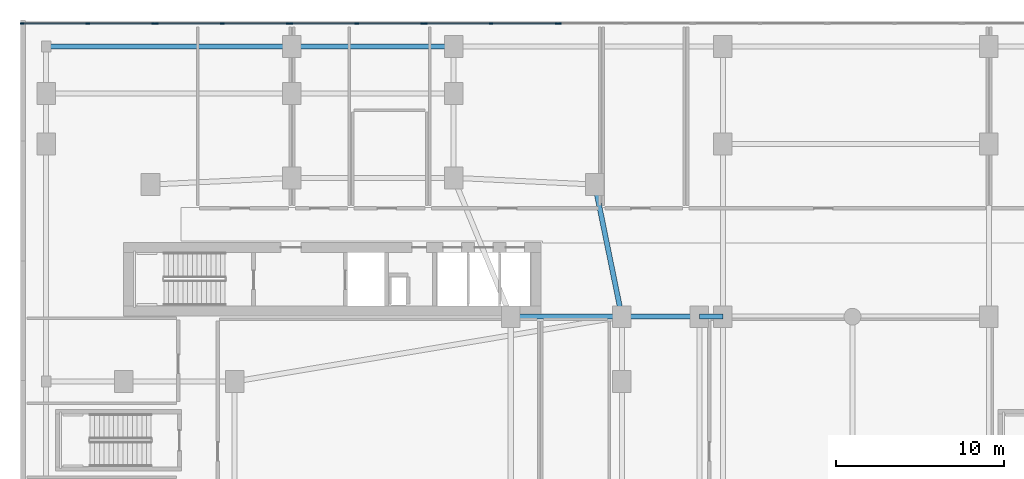
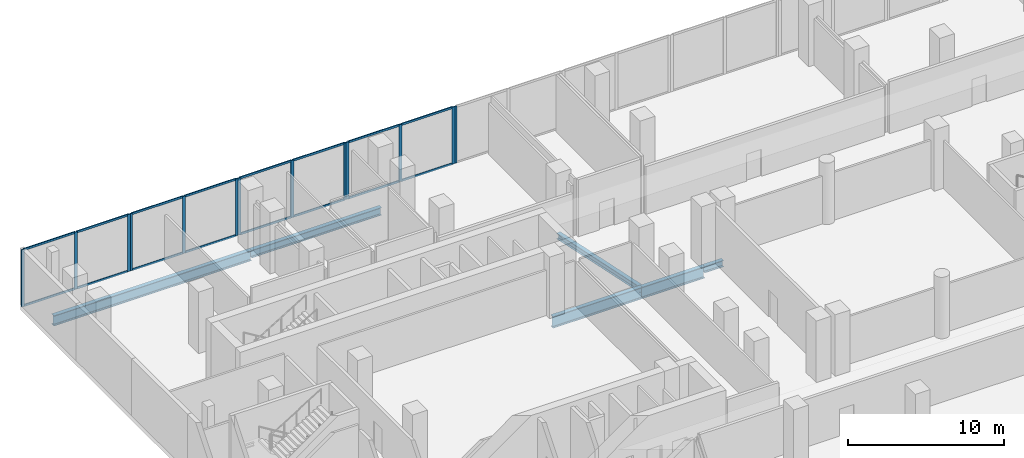
# One storey, part 6 of 23: 29 members, 6 beams, 5 elements without a shape of their own.
"""IFC4 building model written with IfcOpenShell, lengths in metres."""

from ifc_helpers import new_model, si_unit, derived_unit, direction, frame, origin, origin_2d, place, context, subcontext, project, spatial, rectangle, i_section, extrude, material, layer, layer_set, material_profile, profile_set, type_object, element, aggregate, save


model = new_model("IFC4")

# Units and contexts
model_context = context("Model", 3, precision=1e-05, world=origin(), true_north=direction((0.0, 1.0)))
body_context = subcontext(model_context, "Body", "Model", "MODEL_VIEW")
ifc_project = project(units=[si_unit("LENGTHUNIT", "METRE"), si_unit("AREAUNIT", "SQUARE_METRE"), si_unit("VOLUMEUNIT", "CUBIC_METRE"), si_unit("PLANEANGLEUNIT", "RADIAN"), si_unit("MASSUNIT", "GRAM", prefix="KILO"), derived_unit("THERMALTRANSMITTANCEUNIT", [(si_unit("POWERUNIT", "WATT"), 1), (si_unit("LENGTHUNIT", "METRE"), -2), (si_unit("THERMODYNAMICTEMPERATUREUNIT", "KELVIN"), -1)])], contexts=[model_context])

# Site, building, storey
site_placement = place(None, origin())
site = spatial("IfcSite", under=ifc_project, at=site_placement, CompositionType="ELEMENT")
building_placement = place(site_placement, origin())
building = spatial("IfcBuilding", under=site, at=building_placement, Name="Kivonza Crest Hotel", CompositionType="ELEMENT")
storey_placement = place(building_placement, frame((0.0, 0.0, 5.39990234375)))
storey = spatial("IfcBuildingStorey", under=building, at=storey_placement, Name="L01", CompositionType="ELEMENT", Elevation=5.39990234375)

# Beams
ifc_material_1 = material(Name="Steel S355", Category="steel")
ifc_material_profile_1 = material_profile(ifc_material_1, i_section(OverallWidth=0.300048828125, OverallDepth=0.449951171875, WebThickness=0.013916015625, FlangeThickness=0.02587890625, FilletRadius=0.027099609375, at=origin_2d()), Name="HEB 450")
ifc_profile_set_1 = profile_set([ifc_material_profile_1], Name="Steel S355")
beam_type_1 = type_object("IfcBeamType", Name="BM-HEB450", PredefinedType="SPANDREL", material=ifc_profile_set_1)
beam_1_placement = place(storey_placement, frame((35.800048828125, 32.35009765625, -0.574951171875), z_axis=(-0.199730733965, 0.979850822273, 0.0), x_axis=(-0.979850822273, -0.199730733965, 0.0)))
element("IfcBeam", 1, at=beam_1_placement, inside=storey, type_object=beam_type_1, Name="Tower T1 L01 perimeter spandrel PNE-NE", PredefinedType="SPANDREL", context=body_context, shape_type="SweptSolid", body=[
    extrude(i_section(OverallWidth=0.300048828125, OverallDepth=0.449951171875, WebThickness=0.013916015625, FlangeThickness=0.02587890625, FilletRadius=0.027099609375, at=origin_2d()), origin(), (0.0, 0.0, 1.0), 8.01123046875),
])
ifc_material_profile_2 = material_profile(ifc_material_1, i_section(OverallWidth=0.300048828125, OverallDepth=0.5, WebThickness=0.014404296875, FlangeThickness=0.028076171875, FilletRadius=0.027099609375, at=origin_2d()), Name="HEB 500")
ifc_profile_set_2 = profile_set([ifc_material_profile_2], Name="Steel S355")
beam_type_2 = type_object("IfcBeamType", Name="BM-HEB500", PredefinedType="BEAM", material=ifc_profile_set_2)
beam_2_placement = place(storey_placement, frame((40.39990234375, 32.35009765625, -0.599853515625), z_axis=(1.0, 0.0, 0.0), x_axis=(0.0, 1.0, 0.0)))
element("IfcBeam", 2, at=beam_2_placement, inside=storey, type_object=beam_type_2, Name="L01 podium girder X 32", PredefinedType="BEAM", context=body_context, shape_type="SweptSolid", body=[
    extrude(i_section(OverallWidth=0.300048828125, OverallDepth=0.5, WebThickness=0.014404296875, FlangeThickness=0.028076171875, FilletRadius=0.027099609375, at=origin_2d()), origin(), (0.0, 0.0, 1.0), 1.400146484375),
])
ifc_material_profile_3 = material_profile(ifc_material_1, i_section(OverallWidth=0.300048828125, OverallDepth=0.60009765625, WebThickness=0.015380859375, FlangeThickness=0.030029296875, FilletRadius=0.027099609375, at=origin_2d()), Name="HEB 600")
ifc_profile_set_3 = profile_set([ifc_material_profile_3], Name="Steel S355")
beam_type_3 = type_object("IfcBeamType", Name="BM-HEB600", PredefinedType="BEAM", material=ifc_profile_set_3)
beam_3_placement = place(storey_placement, frame((16.199951171875, 48.39990234375, -0.64990234375), z_axis=(1.0, 0.0, 0.0), x_axis=(0.0, 1.0, 0.0)))
element("IfcBeam", 3, at=beam_3_placement, inside=storey, type_object=beam_type_3, Name="L01 podium girder X 43", PredefinedType="BEAM", context=body_context, shape_type="SweptSolid", body=[
    extrude(i_section(OverallWidth=0.300048828125, OverallDepth=0.60009765625, WebThickness=0.015380859375, FlangeThickness=0.030029296875, FilletRadius=0.027099609375, at=origin_2d()), origin(), (0.0, 0.0, 1.0), 9.60009765625),
])
ifc_material_profile_4 = material_profile(ifc_material_1, i_section(OverallWidth=0.300048828125, OverallDepth=0.800048828125, WebThickness=0.017578125, FlangeThickness=0.032958984375, FilletRadius=0.030029296875, at=origin_2d()), Name="HEB 800")
ifc_profile_set_4 = profile_set([ifc_material_profile_4], Name="Steel S355")
beam_type_4 = type_object("IfcBeamType", Name="BM-HEB800", PredefinedType="BEAM", material=ifc_profile_set_4)
beam_4_placement = place(storey_placement, frame((1.60009765625, 48.39990234375, -0.75), z_axis=(1.0, 0.0, 0.0), x_axis=(0.0, 1.0, 0.0)))
element("IfcBeam", 4, at=beam_4_placement, inside=storey, type_object=beam_type_4, Name="L01 podium girder X 42", PredefinedType="BEAM", context=body_context, shape_type="SweptSolid", body=[
    extrude(i_section(OverallWidth=0.300048828125, OverallDepth=0.800048828125, WebThickness=0.017578125, FlangeThickness=0.032958984375, FilletRadius=0.030029296875, at=origin_2d()), origin(), (0.0, 0.0, 1.0), 14.599853515625),
])
ifc_material_profile_5 = material_profile(ifc_material_1, i_section(OverallWidth=0.300048828125, OverallDepth=0.89990234375, WebThickness=0.0185546875, FlangeThickness=0.034912109375, FilletRadius=0.030029296875, at=origin_2d()), Name="HEB 900")
ifc_profile_set_5 = profile_set([ifc_material_profile_5], Name="Steel S355")
beam_type_5 = type_object("IfcBeamType", Name="BM-HEB900", PredefinedType="BEAM", material=ifc_profile_set_5)
beam_5_placement = place(storey_placement, frame((29.199951171875, 32.35009765625, -0.7998046875), z_axis=(1.0, 0.0, 0.0), x_axis=(0.0, 1.0, 0.0)))
element("IfcBeam", 5, at=beam_5_placement, inside=storey, type_object=beam_type_5, Name="Tower T1 L01 primary girder TNE-PNE", PredefinedType="BEAM", context=body_context, shape_type="SweptSolid", body=[
    extrude(i_section(OverallWidth=0.300048828125, OverallDepth=0.89990234375, WebThickness=0.0185546875, FlangeThickness=0.034912109375, FilletRadius=0.030029296875, at=origin_2d()), origin(), (0.0, 0.0, 1.0), 6.60009765625),
])
beam_6_placement = place(storey_placement, frame((40.39990234375, 32.35009765625, -0.7998046875), z_axis=(-1.0, 0.0, 0.0), x_axis=(0.0, -1.0, 0.0)))
element("IfcBeam", 6, at=beam_6_placement, inside=storey, type_object=beam_type_5, Name="Tower T1 L01 outer bay girder ZE2", PredefinedType="BEAM", context=body_context, shape_type="SweptSolid", body=[
    extrude(i_section(OverallWidth=0.300048828125, OverallDepth=0.89990234375, WebThickness=0.0185546875, FlangeThickness=0.034912109375, FilletRadius=0.030029296875, at=origin_2d()), origin(), (0.0, 0.0, 1.0), 4.599853515625),
])

# Curtain wall, member
ifc_material_2 = material(Name="Anodised bronze aluminium and low-E double glazing", Category="aluminium")
ifc_layer = layer(ifc_material_2, 0.219970703125)
ifc_layer_set = layer_set([ifc_layer], Name="Anodised bronze aluminium and low-E double glazing")
curtain_wall_type = type_object("IfcCurtainWallType", Name="CW-SYS-1", PredefinedType="NOTDEFINED", material=ifc_layer_set)
curtain_wall_1_placement = place(storey_placement, origin())
curtain_wall_1 = element("IfcCurtainWall", 7, at=curtain_wall_1_placement, inside=storey, type_object=curtain_wall_type, Name="L01 unitised curtain wall CW-POD-L01-27", PredefinedType="NOTDEFINED")
ifc_material_3 = material(Name="Anodised bronze aluminium", Category="aluminium")
ifc_material_profile_6 = material_profile(ifc_material_3, rectangle(XDim=0.074951171875, YDim=0.219970703125, at=origin_2d()), Name="CW-M 75x220")
ifc_profile_set_6 = profile_set([ifc_material_profile_6], Name="Anodised bronze aluminium")
member_type_1 = type_object("IfcMemberType", Name="CW-MUL-75x220", PredefinedType="MULLION", material=ifc_profile_set_6)
member_1_placement = place(storey_placement, frame((32.1044921875, 49.760009765625, 0.0), z_axis=(0.0, 0.0, 1.0), x_axis=(0.0, -1.0, 0.0)))
member_1 = element("IfcMember", 8, at=member_1_placement, type_object=member_type_1, Name="CW-1 mullion 3", PredefinedType="MULLION", context=body_context, shape_type="SweptSolid", body=[
    extrude(rectangle(XDim=0.074951171875, YDim=0.219970703125, at=origin_2d()), origin(), (0.0, 0.0, 1.0), 4.4501953125),
])
aggregate(curtain_wall_1, [member_1])

# Curtain wall, members
curtain_wall_2_placement = place(storey_placement, origin())
curtain_wall_2 = element("IfcCurtainWall", 9, at=curtain_wall_2_placement, inside=storey, type_object=curtain_wall_type, Name="L01 unitised curtain wall CW-POD-L01-28", PredefinedType="NOTDEFINED")
member_2_placement = place(storey_placement, frame((31.949462890625, 49.760009765625, 0.0), z_axis=(0.0, 0.0, 1.0), x_axis=(0.0, -1.0, 0.0)))
member_2 = element("IfcMember", 10, at=member_2_placement, type_object=member_type_1, Name="CW-1 mullion 1", PredefinedType="MULLION", context=body_context, shape_type="SweptSolid", body=[
    extrude(rectangle(XDim=0.074951171875, YDim=0.219970703125, at=origin_2d()), origin(), (0.0, 0.0, 1.0), 4.4501953125),
])
member_3_placement = place(storey_placement, frame((28.033447265625, 49.760009765625, 0.0), z_axis=(0.0, 0.0, 1.0), x_axis=(0.0, -1.0, 0.0)))
member_3 = element("IfcMember", 11, at=member_3_placement, type_object=member_type_1, Name="CW-1 mullion 2", PredefinedType="MULLION", context=body_context, shape_type="SweptSolid", body=[
    extrude(rectangle(XDim=0.074951171875, YDim=0.219970703125, at=origin_2d()), origin(), (0.0, 0.0, 1.0), 4.4501953125),
])
member_4_placement = place(storey_placement, frame((24.117431640625, 49.760009765625, 0.0), z_axis=(0.0, 0.0, 1.0), x_axis=(0.0, -1.0, 0.0)))
member_4 = element("IfcMember", 12, at=member_4_placement, type_object=member_type_1, Name="CW-1 mullion 3", PredefinedType="MULLION", context=body_context, shape_type="SweptSolid", body=[
    extrude(rectangle(XDim=0.074951171875, YDim=0.219970703125, at=origin_2d()), origin(), (0.0, 0.0, 1.0), 4.4501953125),
])

curtain_wall_3_placement = place(storey_placement, origin())
curtain_wall_3 = element("IfcCurtainWall", 13, at=curtain_wall_3_placement, inside=storey, type_object=curtain_wall_type, Name="L01 unitised curtain wall CW-POD-L01-29", PredefinedType="NOTDEFINED")
member_5_placement = place(storey_placement, frame((23.96240234375, 49.760009765625, 0.0), z_axis=(0.0, 0.0, 1.0), x_axis=(0.0, -1.0, 0.0)))
member_5 = element("IfcMember", 14, at=member_5_placement, type_object=member_type_1, Name="CW-1 mullion 1", PredefinedType="MULLION", context=body_context, shape_type="SweptSolid", body=[
    extrude(rectangle(XDim=0.074951171875, YDim=0.219970703125, at=origin_2d()), origin(), (0.0, 0.0, 1.0), 4.4501953125),
])
member_6_placement = place(storey_placement, frame((20.04638671875, 49.760009765625, 0.0), z_axis=(0.0, 0.0, 1.0), x_axis=(0.0, -1.0, 0.0)))
member_6 = element("IfcMember", 15, at=member_6_placement, type_object=member_type_1, Name="CW-1 mullion 2", PredefinedType="MULLION", context=body_context, shape_type="SweptSolid", body=[
    extrude(rectangle(XDim=0.074951171875, YDim=0.219970703125, at=origin_2d()), origin(), (0.0, 0.0, 1.0), 4.4501953125),
])
member_7_placement = place(storey_placement, frame((16.130615234375, 49.760009765625, 0.0), z_axis=(0.0, 0.0, 1.0), x_axis=(0.0, -1.0, 0.0)))
member_7 = element("IfcMember", 16, at=member_7_placement, type_object=member_type_1, Name="CW-1 mullion 3", PredefinedType="MULLION", context=body_context, shape_type="SweptSolid", body=[
    extrude(rectangle(XDim=0.074951171875, YDim=0.219970703125, at=origin_2d()), origin(), (0.0, 0.0, 1.0), 4.4501953125),
])

curtain_wall_4_placement = place(storey_placement, origin())
curtain_wall_4 = element("IfcCurtainWall", 17, at=curtain_wall_4_placement, inside=storey, type_object=curtain_wall_type, Name="L01 unitised curtain wall CW-POD-L01-30", PredefinedType="NOTDEFINED")
member_8_placement = place(storey_placement, frame((15.9755859375, 49.760009765625, 0.0), z_axis=(0.0, 0.0, 1.0), x_axis=(0.0, -1.0, 0.0)))
member_8 = element("IfcMember", 18, at=member_8_placement, type_object=member_type_1, Name="CW-1 mullion 1", PredefinedType="MULLION", context=body_context, shape_type="SweptSolid", body=[
    extrude(rectangle(XDim=0.074951171875, YDim=0.219970703125, at=origin_2d()), origin(), (0.0, 0.0, 1.0), 4.4501953125),
])
member_9_placement = place(storey_placement, frame((12.06005859375, 49.760009765625, 0.0), z_axis=(0.0, 0.0, 1.0), x_axis=(0.0, -1.0, 0.0)))
member_9 = element("IfcMember", 19, at=member_9_placement, type_object=member_type_1, Name="CW-1 mullion 2", PredefinedType="MULLION", context=body_context, shape_type="SweptSolid", body=[
    extrude(rectangle(XDim=0.074951171875, YDim=0.219970703125, at=origin_2d()), origin(), (0.0, 0.0, 1.0), 4.4501953125),
])
member_10_placement = place(storey_placement, frame((8.14453125, 49.760009765625, 0.0), z_axis=(0.0, 0.0, 1.0), x_axis=(0.0, -1.0, 0.0)))
member_10 = element("IfcMember", 20, at=member_10_placement, type_object=member_type_1, Name="CW-1 mullion 3", PredefinedType="MULLION", context=body_context, shape_type="SweptSolid", body=[
    extrude(rectangle(XDim=0.074951171875, YDim=0.219970703125, at=origin_2d()), origin(), (0.0, 0.0, 1.0), 4.4501953125),
])

curtain_wall_5_placement = place(storey_placement, origin())
curtain_wall_5 = element("IfcCurtainWall", 21, at=curtain_wall_5_placement, inside=storey, type_object=curtain_wall_type, Name="L01 unitised curtain wall CW-POD-L01-31", PredefinedType="NOTDEFINED")
member_11_placement = place(storey_placement, frame((7.989501953125, 49.760009765625, 0.0), z_axis=(0.0, 0.0, 1.0), x_axis=(0.0, -1.0, 0.0)))
member_11 = element("IfcMember", 22, at=member_11_placement, type_object=member_type_1, Name="CW-1 mullion 1", PredefinedType="MULLION", context=body_context, shape_type="SweptSolid", body=[
    extrude(rectangle(XDim=0.074951171875, YDim=0.219970703125, at=origin_2d()), origin(), (0.0, 0.0, 1.0), 4.4501953125),
])
member_12_placement = place(storey_placement, frame((4.073486328125, 49.760009765625, 0.0), z_axis=(0.0, 0.0, 1.0), x_axis=(0.0, -1.0, 0.0)))
member_12 = element("IfcMember", 23, at=member_12_placement, type_object=member_type_1, Name="CW-1 mullion 2", PredefinedType="MULLION", context=body_context, shape_type="SweptSolid", body=[
    extrude(rectangle(XDim=0.074951171875, YDim=0.219970703125, at=origin_2d()), origin(), (0.0, 0.0, 1.0), 4.4501953125),
])
member_13_placement = place(storey_placement, frame((0.157470703125, 49.760009765625, 0.0), z_axis=(0.0, 0.0, 1.0), x_axis=(0.0, -1.0, 0.0)))
member_13 = element("IfcMember", 24, at=member_13_placement, type_object=member_type_1, Name="CW-1 mullion 3", PredefinedType="MULLION", context=body_context, shape_type="SweptSolid", body=[
    extrude(rectangle(XDim=0.074951171875, YDim=0.219970703125, at=origin_2d()), origin(), (0.0, 0.0, 1.0), 4.4501953125),
])

# Member
ifc_material_profile_7 = material_profile(ifc_material_3, rectangle(XDim=0.074951171875, YDim=0.159912109375, at=origin_2d()), Name="CW-T 75x160")
ifc_profile_set_7 = profile_set([ifc_material_profile_7], Name="Anodised bronze aluminium")
member_type_2 = type_object("IfcMemberType", Name="CW-TRN-75x160", PredefinedType="USERDEFINED", material=ifc_profile_set_7)
member_14_placement = place(storey_placement, frame((31.912109375, 49.760009765625, 0.03759765625), z_axis=(-1.0, 0.0, 0.0), x_axis=(0.0, -1.0, 0.0)))
member_14 = element("IfcMember", 25, at=member_14_placement, type_object=member_type_2, Name="CW-1 transom 1.1", ObjectType="TRANSOM", PredefinedType="USERDEFINED", context=body_context, shape_type="SweptSolid", body=[
    extrude(rectangle(XDim=0.074951171875, YDim=0.159912109375, at=origin_2d()), origin(), (0.0, 0.0, 1.0), 3.841064453125),
])

member_15_placement = place(storey_placement, frame((31.912109375, 49.760009765625, 4.41259765625), z_axis=(-1.0, 0.0, 0.0), x_axis=(0.0, -1.0, 0.0)))
member_15 = element("IfcMember", 26, at=member_15_placement, type_object=member_type_2, Name="CW-1 transom 1.2", ObjectType="TRANSOM", PredefinedType="USERDEFINED", context=body_context, shape_type="SweptSolid", body=[
    extrude(rectangle(XDim=0.074951171875, YDim=0.159912109375, at=origin_2d()), origin(), (0.0, 0.0, 1.0), 3.841064453125),
])

member_16_placement = place(storey_placement, frame((27.99609375, 49.760009765625, 0.03759765625), z_axis=(-1.0, 0.0, 0.0), x_axis=(0.0, -1.0, 0.0)))
member_16 = element("IfcMember", 27, at=member_16_placement, type_object=member_type_2, Name="CW-1 transom 2.1", ObjectType="TRANSOM", PredefinedType="USERDEFINED", context=body_context, shape_type="SweptSolid", body=[
    extrude(rectangle(XDim=0.074951171875, YDim=0.159912109375, at=origin_2d()), origin(), (0.0, 0.0, 1.0), 3.841064453125),
])

member_17_placement = place(storey_placement, frame((27.99609375, 49.760009765625, 4.41259765625), z_axis=(-1.0, 0.0, 0.0), x_axis=(0.0, -1.0, 0.0)))
member_17 = element("IfcMember", 28, at=member_17_placement, type_object=member_type_2, Name="CW-1 transom 2.2", ObjectType="TRANSOM", PredefinedType="USERDEFINED", context=body_context, shape_type="SweptSolid", body=[
    extrude(rectangle(XDim=0.074951171875, YDim=0.159912109375, at=origin_2d()), origin(), (0.0, 0.0, 1.0), 3.841064453125),
])

aggregate(curtain_wall_2, [member_2, member_3, member_4, member_14, member_15, member_16, member_17])

member_18_placement = place(storey_placement, frame((23.925048828125, 49.760009765625, 0.03759765625), z_axis=(-1.0, 0.0, 0.0), x_axis=(0.0, -1.0, 0.0)))
member_18 = element("IfcMember", 29, at=member_18_placement, type_object=member_type_2, Name="CW-1 transom 1.1", ObjectType="TRANSOM", PredefinedType="USERDEFINED", context=body_context, shape_type="SweptSolid", body=[
    extrude(rectangle(XDim=0.074951171875, YDim=0.159912109375, at=origin_2d()), origin(), (0.0, 0.0, 1.0), 3.841064453125),
])

member_19_placement = place(storey_placement, frame((23.925048828125, 49.760009765625, 4.41259765625), z_axis=(-1.0, 0.0, 0.0), x_axis=(0.0, -1.0, 0.0)))
member_19 = element("IfcMember", 30, at=member_19_placement, type_object=member_type_2, Name="CW-1 transom 1.2", ObjectType="TRANSOM", PredefinedType="USERDEFINED", context=body_context, shape_type="SweptSolid", body=[
    extrude(rectangle(XDim=0.074951171875, YDim=0.159912109375, at=origin_2d()), origin(), (0.0, 0.0, 1.0), 3.841064453125),
])

member_20_placement = place(storey_placement, frame((20.009033203125, 49.760009765625, 0.03759765625), z_axis=(-1.0, 0.0, 0.0), x_axis=(0.0, -1.0, 0.0)))
member_20 = element("IfcMember", 31, at=member_20_placement, type_object=member_type_2, Name="CW-1 transom 2.1", ObjectType="TRANSOM", PredefinedType="USERDEFINED", context=body_context, shape_type="SweptSolid", body=[
    extrude(rectangle(XDim=0.074951171875, YDim=0.159912109375, at=origin_2d()), origin(), (0.0, 0.0, 1.0), 3.841064453125),
])

member_21_placement = place(storey_placement, frame((20.009033203125, 49.760009765625, 4.41259765625), z_axis=(-1.0, 0.0, 0.0), x_axis=(0.0, -1.0, 0.0)))
member_21 = element("IfcMember", 32, at=member_21_placement, type_object=member_type_2, Name="CW-1 transom 2.2", ObjectType="TRANSOM", PredefinedType="USERDEFINED", context=body_context, shape_type="SweptSolid", body=[
    extrude(rectangle(XDim=0.074951171875, YDim=0.159912109375, at=origin_2d()), origin(), (0.0, 0.0, 1.0), 3.841064453125),
])

aggregate(curtain_wall_3, [member_5, member_6, member_7, member_18, member_19, member_20, member_21])

member_22_placement = place(storey_placement, frame((15.93798828125, 49.760009765625, 0.03759765625), z_axis=(-1.0, 0.0, 0.0), x_axis=(0.0, -1.0, 0.0)))
member_22 = element("IfcMember", 33, at=member_22_placement, type_object=member_type_2, Name="CW-1 transom 1.1", ObjectType="TRANSOM", PredefinedType="USERDEFINED", context=body_context, shape_type="SweptSolid", body=[
    extrude(rectangle(XDim=0.074951171875, YDim=0.159912109375, at=origin_2d()), origin(), (0.0, 0.0, 1.0), 3.840576171875),
])

member_23_placement = place(storey_placement, frame((15.93798828125, 49.760009765625, 4.41259765625), z_axis=(-1.0, 0.0, 0.0), x_axis=(0.0, -1.0, 0.0)))
member_23 = element("IfcMember", 34, at=member_23_placement, type_object=member_type_2, Name="CW-1 transom 1.2", ObjectType="TRANSOM", PredefinedType="USERDEFINED", context=body_context, shape_type="SweptSolid", body=[
    extrude(rectangle(XDim=0.074951171875, YDim=0.159912109375, at=origin_2d()), origin(), (0.0, 0.0, 1.0), 3.840576171875),
])

member_24_placement = place(storey_placement, frame((12.0224609375, 49.760009765625, 0.03759765625), z_axis=(-1.0, 0.0, 0.0), x_axis=(0.0, -1.0, 0.0)))
member_24 = element("IfcMember", 35, at=member_24_placement, type_object=member_type_2, Name="CW-1 transom 2.1", ObjectType="TRANSOM", PredefinedType="USERDEFINED", context=body_context, shape_type="SweptSolid", body=[
    extrude(rectangle(XDim=0.074951171875, YDim=0.159912109375, at=origin_2d()), origin(), (0.0, 0.0, 1.0), 3.840576171875),
])

member_25_placement = place(storey_placement, frame((12.0224609375, 49.760009765625, 4.41259765625), z_axis=(-1.0, 0.0, 0.0), x_axis=(0.0, -1.0, 0.0)))
member_25 = element("IfcMember", 36, at=member_25_placement, type_object=member_type_2, Name="CW-1 transom 2.2", ObjectType="TRANSOM", PredefinedType="USERDEFINED", context=body_context, shape_type="SweptSolid", body=[
    extrude(rectangle(XDim=0.074951171875, YDim=0.159912109375, at=origin_2d()), origin(), (0.0, 0.0, 1.0), 3.840576171875),
])

aggregate(curtain_wall_4, [member_8, member_9, member_10, member_22, member_23, member_24, member_25])

member_26_placement = place(storey_placement, frame((7.951904296875, 49.760009765625, 0.03759765625), z_axis=(-1.0, 0.0, 0.0), x_axis=(0.0, -1.0, 0.0)))
member_26 = element("IfcMember", 37, at=member_26_placement, type_object=member_type_2, Name="CW-1 transom 1.1", ObjectType="TRANSOM", PredefinedType="USERDEFINED", context=body_context, shape_type="SweptSolid", body=[
    extrude(rectangle(XDim=0.074951171875, YDim=0.159912109375, at=origin_2d()), origin(), (0.0, 0.0, 1.0), 3.8408203125),
])

member_27_placement = place(storey_placement, frame((7.951904296875, 49.760009765625, 4.41259765625), z_axis=(-1.0, 0.0, 0.0), x_axis=(0.0, -1.0, 0.0)))
member_27 = element("IfcMember", 38, at=member_27_placement, type_object=member_type_2, Name="CW-1 transom 1.2", ObjectType="TRANSOM", PredefinedType="USERDEFINED", context=body_context, shape_type="SweptSolid", body=[
    extrude(rectangle(XDim=0.074951171875, YDim=0.159912109375, at=origin_2d()), origin(), (0.0, 0.0, 1.0), 3.8408203125),
])

member_28_placement = place(storey_placement, frame((4.035888671875, 49.760009765625, 0.03759765625), z_axis=(-1.0, 0.0, 0.0), x_axis=(0.0, -1.0, 0.0)))
member_28 = element("IfcMember", 39, at=member_28_placement, type_object=member_type_2, Name="CW-1 transom 2.1", ObjectType="TRANSOM", PredefinedType="USERDEFINED", context=body_context, shape_type="SweptSolid", body=[
    extrude(rectangle(XDim=0.074951171875, YDim=0.159912109375, at=origin_2d()), origin(), (0.0, 0.0, 1.0), 3.8408203125),
])

member_29_placement = place(storey_placement, frame((4.035888671875, 49.760009765625, 4.41259765625), z_axis=(-1.0, 0.0, 0.0), x_axis=(0.0, -1.0, 0.0)))
member_29 = element("IfcMember", 40, at=member_29_placement, type_object=member_type_2, Name="CW-1 transom 2.2", ObjectType="TRANSOM", PredefinedType="USERDEFINED", context=body_context, shape_type="SweptSolid", body=[
    extrude(rectangle(XDim=0.074951171875, YDim=0.159912109375, at=origin_2d()), origin(), (0.0, 0.0, 1.0), 3.8408203125),
])

aggregate(curtain_wall_5, [member_11, member_12, member_13, member_26, member_27, member_28, member_29])

save(model, "model.ifc")
